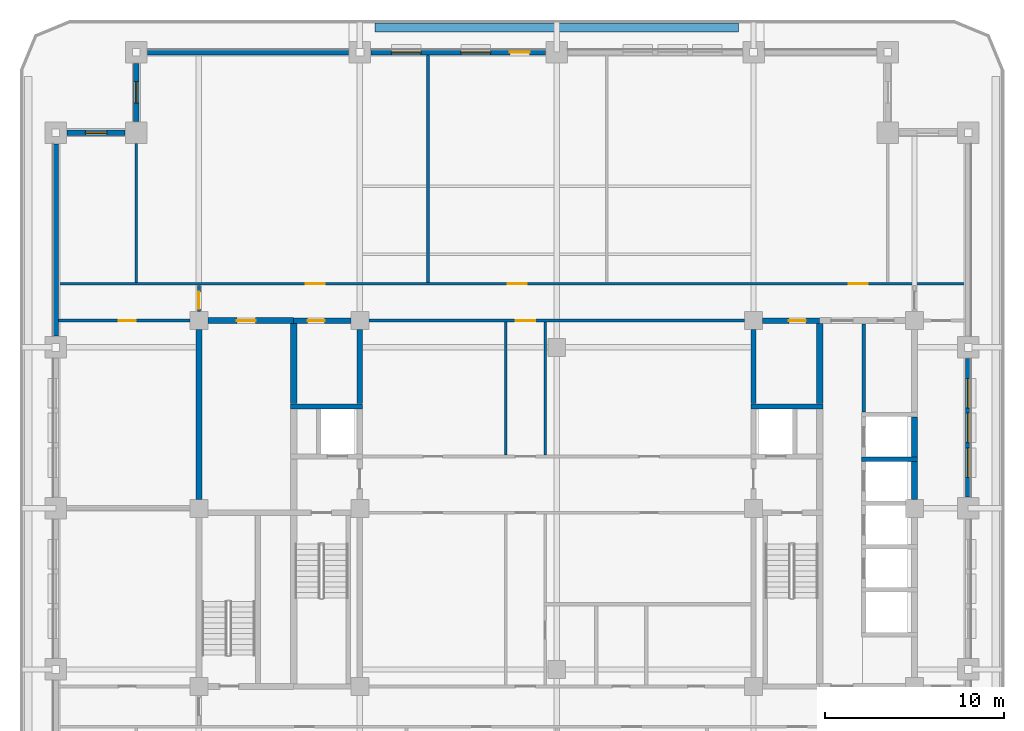
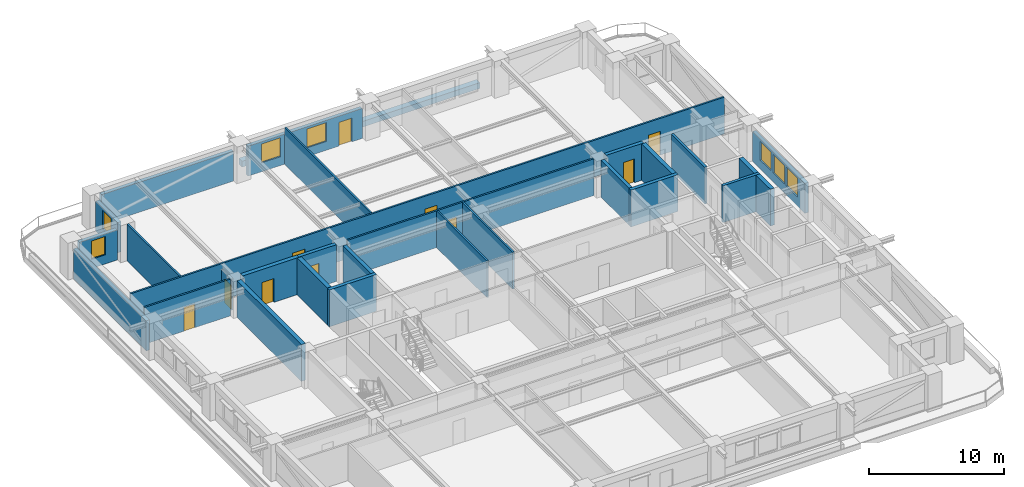
# One storey, part 5 of 14: 29 walls, 10 doors, 7 windows, 17 openings.
"""IFC4 building model written with IfcOpenShell, lengths in metres."""

from ifc_helpers import new_model, si_unit, direction, frame, frame_2d, origin, place, context, subcontext, project, spatial, rectangle, extrude, material, layer, layer_set, type_object, element, fill, save


model = new_model("IFC4")

# Units and contexts
model_context = context("Model", 3, precision=1e-05, world=origin(), true_north=direction((0.0, 1.0)))
body_context = subcontext(model_context, "Body", "Model", "MODEL_VIEW")
ifc_project = project(units=[si_unit("LENGTHUNIT", "METRE"), si_unit("AREAUNIT", "SQUARE_METRE"), si_unit("VOLUMEUNIT", "CUBIC_METRE"), si_unit("PLANEANGLEUNIT", "RADIAN"), si_unit("MASSUNIT", "GRAM", prefix="KILO")], contexts=[model_context])

# Site, building, storey
site_placement = place(None, origin())
site = spatial("IfcSite", under=ifc_project, at=site_placement, CompositionType="ELEMENT")
building_placement = place(site_placement, origin())
building = spatial("IfcBuilding", under=site, at=building_placement, Name="Zulmaris Gate Convention Tower", CompositionType="ELEMENT")
storey_placement = place(building_placement, frame((0.0, 0.0, 135.6298828125)))
storey = spatial("IfcBuildingStorey", under=building, at=storey_placement, Name="L34", CompositionType="ELEMENT", Elevation=135.6298828125)

# Walls
ifc_material_1 = material(Name="Concrete C50/60", Category="concrete")
ifc_layer_1 = layer(ifc_material_1, 0.25, Name="Concrete C50/60")
ifc_layer_set_1 = layer_set([ifc_layer_1], Name="Concrete C50/60")
wall_type_1 = type_object("IfcWallType", Name="CORE-250", PredefinedType="SOLIDWALL", material=ifc_layer_set_1)
wall_1_placement = place(storey_placement, frame((17.02490234375, 2.75, 0.0), z_axis=(0.0, 0.0, 1.0), x_axis=(1.0, 0.0, 0.0)))
element("IfcWall", 1, at=wall_1_placement, inside=storey, type_object=wall_type_1, Name="WL-L34-011", PredefinedType="SOLIDWALL", context=body_context, shape_type="SweptSolid", body=[
    extrude(rectangle(XDim=3.150146484375, YDim=0.25, at=frame_2d((1.5751953125, 0.0))), origin(), (0.0, 0.0, 1.0), 3.320068359375),
])
ifc_layer_2 = layer(ifc_material_1, 0.300048828125, Name="Concrete C50/60")
ifc_layer_set_2 = layer_set([ifc_layer_2], Name="Concrete C50/60")
wall_type_2 = type_object("IfcWallType", Name="CORE-300", PredefinedType="SHEAR", material=ifc_layer_set_2)
for number, where, z_axis, x_axis, name in (
    (2, (-14.875, 5.699951171875, 0.0), (0.0, 0.0, 1.0), (1.0, 0.0, 0.0), "WL-L34-015"),
    (3, (10.85009765625, 5.699951171875, 0.0), (0.0, 0.0, 1.0), (1.0, 0.0, 0.0), "WL-L34-016"),
):
    element("IfcWall", number, at=place(storey_placement, frame(where, z_axis=z_axis, x_axis=x_axis)), inside=storey, type_object=wall_type_2, Name=name, PredefinedType="SHEAR", context=body_context, shape_type="SweptSolid", body=[
        extrude(rectangle(XDim=4.02490234375, YDim=0.300048828125, at=frame_2d((2.012451171875, 0.0))), origin(), (0.0, 0.0, 1.0), 3.320068359375),
    ])

# Wall, opening, door
wall_2_placement = place(storey_placement, frame((-14.699951171875, 10.5, 0.0), z_axis=(0.0, 0.0, 1.0), x_axis=(1.0, 0.0, 0.0)))
wall_2 = element("IfcWall", 4, at=wall_2_placement, inside=storey, type_object=wall_type_2, Name="WL-L34-018", PredefinedType="SHEAR", context=body_context, shape_type="SweptSolid", body=[
    extrude(rectangle(XDim=3.196044921875, YDim=0.300048828125, at=frame_2d((1.59814453125, 0.0))), origin(), (0.0, 0.0, 1.0), 3.320068359375),
])
opening_1_placement = place(wall_2_placement, frame((0.77490234375, 0.0, 0.0)))
opening_1 = element("IfcOpeningElement", 5, at=opening_1_placement, cuts=wall_2, Name="Opening D-11", PredefinedType="OPENING", context=body_context, shape_type="SweptSolid", body=[
    extrude(rectangle(XDim=0.949951171875, YDim=2.14990234375, at=frame_2d((0.47509765625, 1.074951171875))), frame((0.0, 0.16015625, 0.0), z_axis=(0.0, -1.0, 0.0), x_axis=(1.0, 0.0, 0.0)), (0.0, 0.0, 1.0), 0.320068359375),
])
ifc_material_2 = material(Name="Fire-Rated Timber", Category="wood")
door_type_1 = type_object("IfcDoorType", Name="DR-950-FD", OperationType="NOTDEFINED", PredefinedType="DOOR", material=ifc_material_2)
door_1_placement = place(opening_1_placement, origin())
door_1 = element("IfcDoor", 6, at=door_1_placement, inside=storey, type_object=door_type_1, Name="L34 Core Pantry Door 07", OperationType="SINGLE_SWING_RIGHT", OverallHeight=2.14990234375, OverallWidth=0.949951171875, PredefinedType="DOOR", context=body_context, shape_type="SweptSolid", body=[
    extrude(rectangle(XDim=0.949951171875, YDim=2.14990234375, at=frame_2d((0.47509765625, 1.074951171875))), frame((0.0, 0.02490234375, 0.0), z_axis=(0.0, -1.0, 0.0), x_axis=(1.0, 0.0, 0.0)), (0.0, 0.0, 1.0), 0.050048828125),
])
fill(opening_1, door_1)

wall_3_placement = place(storey_placement, frame((11.50390625, 10.5, 0.0), z_axis=(0.0, 0.0, 1.0), x_axis=(1.0, 0.0, 0.0)))
wall_3 = element("IfcWall", 7, at=wall_3_placement, inside=storey, type_object=wall_type_2, Name="WL-L34-019", PredefinedType="SHEAR", context=body_context, shape_type="SweptSolid", body=[
    extrude(rectangle(XDim=3.196044921875, YDim=0.300048828125, at=frame_2d((1.59814453125, 0.0))), origin(), (0.0, 0.0, 1.0), 3.320068359375),
])
opening_2_placement = place(wall_3_placement, frame((1.470947265625, 0.0, 0.0)))
opening_2 = element("IfcOpeningElement", 8, at=opening_2_placement, cuts=wall_3, Name="Opening D-11", PredefinedType="OPENING", context=body_context, shape_type="SweptSolid", body=[
    extrude(rectangle(XDim=0.949951171875, YDim=2.14990234375, at=frame_2d((0.47509765625, 1.074951171875))), frame((0.0, 0.16015625, 0.0), z_axis=(0.0, -1.0, 0.0), x_axis=(1.0, 0.0, 0.0)), (0.0, 0.0, 1.0), 0.320068359375),
])
door_2_placement = place(opening_2_placement, origin())
door_2 = element("IfcDoor", 9, at=door_2_placement, inside=storey, type_object=door_type_1, Name="L34 Core Cleaners Store Door 08", OperationType="SINGLE_SWING_LEFT", OverallHeight=2.14990234375, OverallWidth=0.949951171875, PredefinedType="DOOR", context=body_context, shape_type="SweptSolid", body=[
    extrude(rectangle(XDim=0.949951171875, YDim=2.14990234375, at=frame_2d((0.47509765625, 1.074951171875))), frame((0.0, 0.02490234375, 0.0), z_axis=(0.0, -1.0, 0.0), x_axis=(1.0, 0.0, 0.0)), (0.0, 0.0, 1.0), 0.050048828125),
])
fill(opening_2, door_2)

# Walls
for number, where, z_axis, x_axis, name in (
    (10, (-11.0, 5.85205078125, 0.0), (0.0, 0.0, 1.0), (0.0, 1.0, 0.0), "WL-L34-045"),
    (11, (11.0, 5.85205078125, 0.0), (0.0, 0.0, 1.0), (0.0, 1.0, 0.0), "WL-L34-049"),
):
    element("IfcWall", number, at=place(storey_placement, frame(where, z_axis=z_axis, x_axis=x_axis)), inside=storey, type_object=wall_type_2, Name=name, PredefinedType="SHEAR", context=body_context, shape_type="SweptSolid", body=[
        extrude(rectangle(XDim=4.14404296875, YDim=0.300048828125, at=frame_2d((2.072021484375, 0.0))), origin(), (0.0, 0.0, 1.0), 3.320068359375),
    ])

# Wall, opening, door
ifc_material_3 = material(Name="Concrete C55/67", Category="concrete")
ifc_layer_3 = layer(ifc_material_3, 0.35009765625, Name="Concrete C55/67")
ifc_layer_set_3 = layer_set([ifc_layer_3], Name="Concrete C55/67")
wall_type_3 = type_object("IfcWallType", Name="CORE-350", PredefinedType="SHEAR", material=ifc_layer_set_3)
wall_4_placement = place(storey_placement, frame((-19.49609375, 10.5, 0.0), z_axis=(0.0, 0.0, 1.0), x_axis=(1.0, 0.0, 0.0)))
wall_4 = element("IfcWall", 12, at=wall_4_placement, inside=storey, type_object=wall_type_3, Name="WL-L34-017", PredefinedType="SHEAR", context=body_context, shape_type="SweptSolid", body=[
    extrude(rectangle(XDim=4.796142578125, YDim=0.35009765625, at=frame_2d((2.39794921875, 0.0))), origin(), (0.0, 0.0, 1.0), 3.320068359375),
])
opening_3_placement = place(wall_4_placement, frame((1.62109375, 0.0, 0.0)))
opening_3 = element("IfcOpeningElement", 13, at=opening_3_placement, cuts=wall_4, Name="Opening D-09", PredefinedType="OPENING", context=body_context, shape_type="SweptSolid", body=[
    extrude(rectangle(XDim=1.050048828125, YDim=2.14990234375, at=frame_2d((0.52490234375, 1.074951171875))), frame((0.0, 0.18505859375, 0.0), z_axis=(0.0, -1.0, 0.0), x_axis=(1.0, 0.0, 0.0)), (0.0, 0.0, 1.0), 0.3701171875),
])
ifc_material_4 = material(Name="Fire-Rated Steel", Category="steel")
door_type_2 = type_object("IfcDoorType", Name="DR-1050-FD", OperationType="NOTDEFINED", PredefinedType="DOOR", material=ifc_material_4)
door_3_placement = place(opening_3_placement, origin())
door_3 = element("IfcDoor", 14, at=door_3_placement, inside=storey, type_object=door_type_2, Name="L34 Reclaimed Archive Door 10", OperationType="SINGLE_SWING_LEFT", OverallHeight=2.14990234375, OverallWidth=1.050048828125, PredefinedType="DOOR", context=body_context, shape_type="SweptSolid", body=[
    extrude(rectangle(XDim=1.050048828125, YDim=2.14990234375, at=frame_2d((0.52490234375, 1.074951171875))), frame((0.0, 0.02490234375, 0.0), z_axis=(0.0, -1.0, 0.0), x_axis=(1.0, 0.0, 0.0)), (0.0, 0.0, 1.0), 0.050048828125),
])
fill(opening_3, door_3)

# Walls
wall_5_placement = place(storey_placement, frame((-20.0, 0.50390625, 0.0), z_axis=(0.0, 0.0, 1.0), x_axis=(0.0, 1.0, 0.0)))
element("IfcWall", 15, at=wall_5_placement, inside=storey, type_object=wall_type_3, Name="WL-L34-034", PredefinedType="SHEAR", context=body_context, shape_type="SweptSolid", body=[
    extrude(rectangle(XDim=9.4921875, YDim=0.35009765625, at=frame_2d((4.74609375, 0.0))), origin(), (0.0, 0.0, 1.0), 3.320068359375),
])
for number, where, z_axis, x_axis, name in (
    (16, (-14.699951171875, 5.85205078125, 0.0), (0.0, 0.0, 1.0), (0.0, 1.0, 0.0), "WL-L34-039"),
    (17, (14.699951171875, 5.85205078125, 0.0), (0.0, 0.0, 1.0), (0.0, 1.0, 0.0), "WL-L34-055"),
):
    element("IfcWall", number, at=place(storey_placement, frame(where, z_axis=z_axis, x_axis=x_axis)), inside=storey, type_object=wall_type_3, Name=name, PredefinedType="SHEAR", context=body_context, shape_type="SweptSolid", body=[
        extrude(rectangle(XDim=4.470947265625, YDim=0.35009765625, at=frame_2d((2.2353515625, 0.0))), origin(), (0.0, 0.0, 1.0), 3.320068359375),
    ])
wall_6_placement = place(storey_placement, frame((20.0, 0.50390625, 0.0), z_axis=(0.0, 0.0, 1.0), x_axis=(0.0, 1.0, 0.0)))
element("IfcWall", 18, at=wall_6_placement, inside=storey, type_object=wall_type_3, Name="WL-L34-065", PredefinedType="SHEAR", context=body_context, shape_type="SweptSolid", body=[
    extrude(rectangle(XDim=2.119140625, YDim=0.35009765625, at=frame_2d((1.0595703125, 0.0))), origin(), (0.0, 0.0, 1.0), 3.320068359375),
])
wall_7_placement = place(storey_placement, frame((20.0, 2.876953125, 0.0), z_axis=(0.0, 0.0, 1.0), x_axis=(0.0, 1.0, 0.0)))
element("IfcWall", 19, at=wall_7_placement, inside=storey, type_object=wall_type_3, Name="WL-L34-066", PredefinedType="SHEAR", context=body_context, shape_type="SweptSolid", body=[
    extrude(rectangle(XDim=2.24609375, YDim=0.35009765625, at=frame_2d((1.123046875, 0.0))), origin(), (0.0, 0.0, 1.0), 3.320068359375),
])

# Wall, opening, door
ifc_material_5 = material(Name="Gypsum Metal Stud Partition")
ifc_layer_4 = layer(ifc_material_5, 0.14990234375, Name="Gypsum Metal Stud Partition")
ifc_layer_set_4 = layer_set([ifc_layer_4], Name="Gypsum Metal Stud Partition")
wall_type_4 = type_object("IfcWallType", Name="PART-150", PredefinedType="PARTITIONING", material=ifc_layer_set_4)
wall_8_placement = place(storey_placement, frame((-27.8349609375, 10.5, 0.0), z_axis=(0.0, 0.0, 1.0), x_axis=(1.0, 0.0, 0.0)))
wall_8 = element("IfcWall", 20, at=wall_8_placement, inside=storey, type_object=wall_type_4, Name="WL-L34-029", PredefinedType="PARTITIONING", context=body_context, shape_type="SweptSolid", body=[
    extrude(rectangle(XDim=7.328857421875, YDim=0.14990234375, at=frame_2d((3.66455078125, 0.0))), origin(), (0.0, 0.0, 1.0), 3.320068359375),
])
opening_4_placement = place(wall_8_placement, frame((3.360107421875, 0.0, 0.0)))
opening_4 = element("IfcOpeningElement", 21, at=opening_4_placement, cuts=wall_8, Name="Opening D-11", PredefinedType="OPENING", context=body_context, shape_type="SweptSolid", body=[
    extrude(rectangle(XDim=0.949951171875, YDim=2.14990234375, at=frame_2d((0.47509765625, 1.074951171875))), frame((0.0, 0.0849609375, 0.0), z_axis=(0.0, -1.0, 0.0), x_axis=(1.0, 0.0, 0.0)), (0.0, 0.0, 1.0), 0.169921875),
])
door_4_placement = place(opening_4_placement, origin())
door_4 = element("IfcDoor", 22, at=door_4_placement, inside=storey, type_object=door_type_1, Name="L34 NW Partner Door 38", OperationType="SINGLE_SWING_LEFT", OverallHeight=2.14990234375, OverallWidth=0.949951171875, PredefinedType="DOOR", context=body_context, shape_type="SweptSolid", body=[
    extrude(rectangle(XDim=0.949951171875, YDim=2.14990234375, at=frame_2d((0.47509765625, 1.074951171875))), frame((0.0, 0.02490234375, 0.0), z_axis=(0.0, -1.0, 0.0), x_axis=(1.0, 0.0, 0.0)), (0.0, 0.0, 1.0), 0.050048828125),
])
fill(opening_4, door_4)

wall_9_placement = place(storey_placement, frame((-10.493896484375, 10.5, 0.0), z_axis=(0.0, 0.0, 1.0), x_axis=(1.0, 0.0, 0.0)))
wall_9 = element("IfcWall", 23, at=wall_9_placement, inside=storey, type_object=wall_type_4, Name="WL-L34-030", PredefinedType="PARTITIONING", context=body_context, shape_type="SweptSolid", body=[
    extrude(rectangle(XDim=20.98779296875, YDim=0.14990234375, at=frame_2d((10.493896484375, 0.0))), origin(), (0.0, 0.0, 1.0), 3.320068359375),
])
opening_5_placement = place(wall_9_placement, frame((8.194091796875, 0.0, 0.0)))
opening_5 = element("IfcOpeningElement", 24, at=opening_5_placement, cuts=wall_9, Name="Opening D-08", PredefinedType="OPENING", context=body_context, shape_type="SweptSolid", body=[
    extrude(rectangle(XDim=1.10009765625, YDim=2.14990234375, at=frame_2d((0.550048828125, 1.074951171875))), frame((0.0, 0.0849609375, 0.0), z_axis=(0.0, -1.0, 0.0), x_axis=(1.0, 0.0, 0.0)), (0.0, 0.0, 1.0), 0.169921875),
])
door_type_3 = type_object("IfcDoorType", Name="DR-1100-FD", OperationType="NOTDEFINED", PredefinedType="DOOR", material=ifc_material_4)
door_5_placement = place(opening_5_placement, origin())
door_5 = element("IfcDoor", 25, at=door_5_placement, inside=storey, type_object=door_type_3, Name="L34 North Gallery Link Door 18", OperationType="SINGLE_SWING_LEFT", OverallHeight=2.14990234375, OverallWidth=1.10009765625, PredefinedType="DOOR", context=body_context, shape_type="SweptSolid", body=[
    extrude(rectangle(XDim=1.10009765625, YDim=2.14990234375, at=frame_2d((0.550048828125, 1.074951171875))), frame((0.0, 0.02490234375, 0.0), z_axis=(0.0, -1.0, 0.0), x_axis=(1.0, 0.0, 0.0)), (0.0, 0.0, 1.0), 0.050048828125),
])
fill(opening_5, door_5)

# Wall, openings, doors
wall_10_placement = place(storey_placement, frame((-27.8349609375, 12.550048828125, 0.0), z_axis=(0.0, 0.0, 1.0), x_axis=(1.0, 0.0, 0.0)))
wall_10 = element("IfcWall", 26, at=wall_10_placement, inside=storey, type_object=wall_type_4, Name="WL-L34-032", PredefinedType="PARTITIONING", context=body_context, shape_type="SweptSolid", body=[
    extrude(rectangle(XDim=50.669921875, YDim=0.14990234375, at=frame_2d((25.3349609375, 0.0))), origin(), (0.0, 0.0, 1.0), 3.320068359375),
])
opening_6_placement = place(wall_10_placement, frame((13.81005859375, 0.0, 0.0)))
opening_6 = element("IfcOpeningElement", 27, at=opening_6_placement, cuts=wall_10, Name="Opening D-09", PredefinedType="OPENING", context=body_context, shape_type="SweptSolid", body=[
    extrude(rectangle(XDim=1.050048828125, YDim=2.14990234375, at=frame_2d((0.52490234375, 1.074951171875))), frame((0.0, 0.0849609375, 0.0), z_axis=(0.0, -1.0, 0.0), x_axis=(1.0, 0.0, 0.0)), (0.0, 0.0, 1.0), 0.169921875),
])
opening_7_placement = place(wall_10_placement, frame((25.110107421875, 0.0, 0.0)))
opening_7 = element("IfcOpeningElement", 28, at=opening_7_placement, cuts=wall_10, Name="Opening D-09", PredefinedType="OPENING", context=body_context, shape_type="SweptSolid", body=[
    extrude(rectangle(XDim=1.050048828125, YDim=2.14990234375, at=frame_2d((0.52490234375, 1.074951171875))), frame((0.0, 0.0849609375, 0.0), z_axis=(0.0, -1.0, 0.0), x_axis=(1.0, 0.0, 0.0)), (0.0, 0.0, 1.0), 0.169921875),
])
opening_8_placement = place(wall_10_placement, frame((44.159912109375, 0.0, 0.0)))
opening_8 = element("IfcOpeningElement", 29, at=opening_8_placement, cuts=wall_10, Name="Opening D-09", PredefinedType="OPENING", context=body_context, shape_type="SweptSolid", body=[
    extrude(rectangle(XDim=1.050048828125, YDim=2.14990234375, at=frame_2d((0.52490234375, 1.074951171875))), frame((0.0, 0.0849609375, 0.0), z_axis=(0.0, -1.0, 0.0), x_axis=(1.0, 0.0, 0.0)), (0.0, 0.0, 1.0), 0.169921875),
])
door_6_placement = place(opening_6_placement, origin())
door_6 = element("IfcDoor", 30, at=door_6_placement, inside=storey, type_object=door_type_2, Name="L34 Executive Boardroom Door 22", OperationType="SINGLE_SWING_LEFT", OverallHeight=2.14990234375, OverallWidth=1.050048828125, PredefinedType="DOOR", context=body_context, shape_type="SweptSolid", body=[
    extrude(rectangle(XDim=1.050048828125, YDim=2.14990234375, at=frame_2d((0.52490234375, 1.074951171875))), frame((0.0, 0.02490234375, 0.0), z_axis=(0.0, -1.0, 0.0), x_axis=(1.0, 0.0, 0.0)), (0.0, 0.0, 1.0), 0.050048828125),
])
fill(opening_6, door_6)
door_7_placement = place(opening_7_placement, origin())
door_7 = element("IfcDoor", 31, at=door_7_placement, inside=storey, type_object=door_type_2, Name="L34 Corporate Strategy Office Door 23", OperationType="SINGLE_SWING_RIGHT", OverallHeight=2.14990234375, OverallWidth=1.050048828125, PredefinedType="DOOR", context=body_context, shape_type="SweptSolid", body=[
    extrude(rectangle(XDim=1.050048828125, YDim=2.14990234375, at=frame_2d((0.52490234375, 1.074951171875))), frame((0.0, 0.02490234375, 0.0), z_axis=(0.0, -1.0, 0.0), x_axis=(1.0, 0.0, 0.0)), (0.0, 0.0, 1.0), 0.050048828125),
])
fill(opening_7, door_7)
door_8_placement = place(opening_8_placement, origin())
door_8 = element("IfcDoor", 32, at=door_8_placement, inside=storey, type_object=door_type_2, Name="L34 Project Advisory Studio Door 24", OperationType="SINGLE_SWING_LEFT", OverallHeight=2.14990234375, OverallWidth=1.050048828125, PredefinedType="DOOR", context=body_context, shape_type="SweptSolid", body=[
    extrude(rectangle(XDim=1.050048828125, YDim=2.14990234375, at=frame_2d((0.52490234375, 1.074951171875))), frame((0.0, 0.02490234375, 0.0), z_axis=(0.0, -1.0, 0.0), x_axis=(1.0, 0.0, 0.0)), (0.0, 0.0, 1.0), 0.050048828125),
])
fill(opening_8, door_8)

# Wall
wall_11_placement = place(storey_placement, frame((-23.5, 12.6279296875, 0.0), z_axis=(0.0, 0.0, 1.0), x_axis=(0.0, 1.0, 0.0)))
element("IfcWall", 33, at=wall_11_placement, inside=storey, type_object=wall_type_4, Name="WL-L34-069", PredefinedType="PARTITIONING", context=body_context, shape_type="SweptSolid", body=[
    extrude(rectangle(XDim=7.76611328125, YDim=0.14990234375, at=frame_2d((3.883056640625, 0.0))), origin(), (0.0, 0.0, 1.0), 3.320068359375),
])

# Wall, opening, door
wall_12_placement = place(storey_placement, frame((-20.0, 11.006103515625, 0.0), z_axis=(0.0, 0.0, 1.0), x_axis=(0.0, 1.0, 0.0)))
wall_12 = element("IfcWall", 34, at=wall_12_placement, inside=storey, type_object=wall_type_4, Name="WL-L34-071", PredefinedType="PARTITIONING", context=body_context, shape_type="SweptSolid", body=[
    extrude(rectangle(XDim=1.4658203125, YDim=0.14990234375, at=frame_2d((0.73291015625, 0.0))), origin(), (0.0, 0.0, 1.0), 2.81005859375),
])
opening_9_placement = place(wall_12_placement, frame((0.14990234375, 0.0, 0.0)))
opening_9 = element("IfcOpeningElement", 35, at=opening_9_placement, cuts=wall_12, Name="Opening D-11", PredefinedType="OPENING", context=body_context, shape_type="SweptSolid", body=[
    extrude(rectangle(XDim=0.949951171875, YDim=2.14990234375, at=frame_2d((0.47509765625, 1.074951171875))), frame((0.0, 0.0849609375, 0.0), z_axis=(0.0, -1.0, 0.0), x_axis=(1.0, 0.0, 0.0)), (0.0, 0.0, 1.0), 0.169921875),
])
door_9_placement = place(opening_9_placement, origin())
door_9 = element("IfcDoor", 36, at=door_9_placement, inside=storey, type_object=door_type_1, Name="L34 NW Spur Door 36", OperationType="SINGLE_SWING_LEFT", OverallHeight=2.14990234375, OverallWidth=0.949951171875, PredefinedType="DOOR", context=body_context, shape_type="SweptSolid", body=[
    extrude(rectangle(XDim=0.949951171875, YDim=2.14990234375, at=frame_2d((0.47509765625, 1.074951171875))), frame((0.0, 0.02490234375, 0.0), z_axis=(0.0, -1.0, 0.0), x_axis=(1.0, 0.0, 0.0)), (0.0, 0.0, 1.0), 0.050048828125),
])
fill(opening_9, door_9)

# Walls
wall_13_placement = place(storey_placement, frame((-7.199951171875, 12.6279296875, 0.0), z_axis=(0.0, 0.0, 1.0), x_axis=(0.0, 1.0, 0.0)))
element("IfcWall", 37, at=wall_13_placement, inside=storey, type_object=wall_type_4, Name="WL-L34-073", PredefinedType="PARTITIONING", context=body_context, shape_type="SweptSolid", body=[
    extrude(rectangle(XDim=12.70703125, YDim=0.14990234375, at=frame_2d((6.353515625, 0.0))), origin(), (0.0, 0.0, 1.0), 3.320068359375),
])
for number, where, z_axis, x_axis, name in (
    (38, (-2.85009765625, 2.97802734375, 0.0), (0.0, 0.0, 1.0), (0.0, 1.0, 0.0), "WL-L34-075"),
    (39, (-0.64990234375, 2.97802734375, 0.0), (0.0, 0.0, 1.0), (0.0, 1.0, 0.0), "WL-L34-078"),
):
    element("IfcWall", number, at=place(storey_placement, frame(where, z_axis=z_axis, x_axis=x_axis)), inside=storey, type_object=wall_type_4, Name=name, PredefinedType="PARTITIONING", context=body_context, shape_type="SweptSolid", body=[
        extrude(rectangle(XDim=7.444091796875, YDim=0.14990234375, at=frame_2d((3.72216796875, 0.0))), origin(), (0.0, 0.0, 1.0), 3.320068359375),
    ])
ifc_material_6 = material(Name="Autoclaved Aerated Concrete Block and Plasterboard", Category="concrete")
ifc_layer_5 = layer(ifc_material_6, 0.199951171875, Name="Autoclaved Aerated Concrete Block and Plasterboard")
ifc_layer_set_5 = layer_set([ifc_layer_5], Name="Autoclaved Aerated Concrete Block and Plasterboard")
wall_type_5 = type_object("IfcWallType", Name="PART-200", PredefinedType="PARTITIONING", material=ifc_layer_set_5)
wall_14_placement = place(storey_placement, frame((17.14990234375, 5.3779296875, 0.0), z_axis=(0.0, 0.0, 1.0), x_axis=(0.0, 1.0, 0.0)))
element("IfcWall", 40, at=wall_14_placement, inside=storey, type_object=wall_type_5, Name="WL-L34-084", PredefinedType="PARTITIONING", context=body_context, shape_type="SweptSolid", body=[
    extrude(rectangle(XDim=4.944091796875, YDim=0.199951171875, at=frame_2d((2.47216796875, 0.0))), origin(), (0.0, 0.0, 1.0), 3.320068359375),
])
ifc_material_7 = material(Name="Botanical Green Glazed Precast Concrete C40/50", Category="concrete")
ifc_layer_6 = layer(ifc_material_7, 0.419921875, Name="Botanical Green Glazed Precast Concrete C40/50")
ifc_layer_set_6 = layer_set([ifc_layer_6], Name="Botanical Green Glazed Precast Concrete C40/50")
wall_type_6 = type_object("IfcWallType", Name="PLANTER-CURB-200", PredefinedType="PARAPET", material=ifc_layer_set_6)
wall_15_placement = place(storey_placement, frame((-10.14990234375, 26.8798828125, -0.0400390625), z_axis=(0.0, 0.0, 1.0), x_axis=(1.0, 0.0, 0.0)))
element("IfcWall", 41, at=wall_15_placement, inside=storey, type_object=wall_type_6, Name="L34 Full-Length Balcony Tree Planter Trough", PredefinedType="PARAPET", context=body_context, shape_type="SweptSolid", body=[
    extrude(rectangle(XDim=20.2998046875, YDim=0.47998046875, at=frame_2d((10.14990234375, 0.0))), origin(), (0.0, 0.0, 1.0), 0.52001953125),
])

# Wall, opening, window
ifc_material_8 = material(Name="Precast concrete C40/50", Category="concrete")
ifc_layer_7 = layer(ifc_material_8, 0.300048828125, Name="Precast concrete C40/50")
ifc_layer_set_7 = layer_set([ifc_layer_7], Name="Precast concrete C40/50")
wall_type_7 = type_object("IfcWallType", Name="PRECAST-PIER-300", PredefinedType="STANDARD", material=ifc_layer_set_7)
wall_16_placement = place(storey_placement, frame((-23.5, 24.8701171875, 0.0), z_axis=(0.0, 0.0, 1.0), x_axis=(0.0, -1.0, 0.0)))
wall_16 = element("IfcWall", 42, at=wall_16_placement, inside=storey, type_object=wall_type_7, Name="EW-L34-NOTCH-NW1_0", PredefinedType="STANDARD", context=body_context, shape_type="SweptSolid", body=[
    extrude(rectangle(XDim=3.240234375, YDim=0.300048828125, at=frame_2d((1.6201171875, 0.0))), origin(), (0.0, 0.0, 1.0), 2.712158203125),
])
opening_10_placement = place(wall_16_placement, frame((1.02001953125, 0.0, 0.820068359375)))
opening_10 = element("IfcOpeningElement", 43, at=opening_10_placement, cuts=wall_16, Name="Opening W-04", PredefinedType="OPENING", context=body_context, shape_type="SweptSolid", body=[
    extrude(rectangle(XDim=1.199951171875, YDim=1.64990234375, at=frame_2d((0.60009765625, 0.824951171875))), frame((0.0, 0.16015625, 0.0), z_axis=(0.0, -1.0, 0.0), x_axis=(1.0, 0.0, 0.0)), (0.0, 0.0, 1.0), 0.320068359375),
])
ifc_material_9 = material(Name="Low-E Laminated Double Glazing in Aluminium Frame", Category="aluminium")
window_type_1 = type_object("IfcWindowType", Name="WIN-1200x2100", PartitioningType="SINGLE_PANEL", PredefinedType="WINDOW", material=ifc_material_9)
window_1_placement = place(opening_10_placement, origin())
window_1 = element("IfcWindow", 44, at=window_1_placement, inside=storey, type_object=window_type_1, Name="WN-EW-L34-NOTCH-NW1_0", OverallHeight=1.64990234375, OverallWidth=1.199951171875, PartitioningType="SINGLE_PANEL", PredefinedType="WINDOW", context=body_context, shape_type="SweptSolid", body=[
    extrude(rectangle(XDim=1.199951171875, YDim=1.64990234375, at=frame_2d((0.60009765625, 0.824951171875))), frame((0.0, 0.030029296875, 0.0), z_axis=(0.0, -1.0, 0.0), x_axis=(1.0, 0.0, 0.0)), (0.0, 0.0, 1.0), 0.06005859375),
])
fill(opening_10, window_1)

wall_17_placement = place(storey_placement, frame((-24.1298828125, 21.0, 0.0), z_axis=(0.0, 0.0, 1.0), x_axis=(-1.0, 0.0, 0.0)))
wall_17 = element("IfcWall", 45, at=wall_17_placement, inside=storey, type_object=wall_type_7, Name="EW-L34-NOTCH-NW2_0", PredefinedType="STANDARD", context=body_context, shape_type="SweptSolid", body=[
    extrude(rectangle(XDim=3.240234375, YDim=0.300048828125, at=frame_2d((1.6201171875, 0.0))), origin(), (0.0, 0.0, 1.0), 2.712158203125),
])
opening_11_placement = place(wall_17_placement, frame((1.02001953125, 0.0, 0.820068359375)))
opening_11 = element("IfcOpeningElement", 46, at=opening_11_placement, cuts=wall_17, Name="Opening W-04", PredefinedType="OPENING", context=body_context, shape_type="SweptSolid", body=[
    extrude(rectangle(XDim=1.199951171875, YDim=1.64990234375, at=frame_2d((0.60009765625, 0.824951171875))), frame((0.0, 0.16015625, 0.0), z_axis=(0.0, -1.0, 0.0), x_axis=(1.0, 0.0, 0.0)), (0.0, 0.0, 1.0), 0.320068359375),
])
window_2_placement = place(opening_11_placement, origin())
window_2 = element("IfcWindow", 47, at=window_2_placement, inside=storey, type_object=window_type_1, Name="WN-EW-L34-NOTCH-NW2_0", OverallHeight=1.64990234375, OverallWidth=1.199951171875, PartitioningType="SINGLE_PANEL", PredefinedType="WINDOW", context=body_context, shape_type="SweptSolid", body=[
    extrude(rectangle(XDim=1.199951171875, YDim=1.64990234375, at=frame_2d((0.60009765625, 0.824951171875))), frame((0.0, 0.030029296875, 0.0), z_axis=(0.0, -1.0, 0.0), x_axis=(1.0, 0.0, 0.0)), (0.0, 0.0, 1.0), 0.06005859375),
])
fill(opening_11, window_2)

# Wall
wall_18_placement = place(storey_placement, frame((-11.6298828125, 25.5, 0.0), z_axis=(0.0, 0.0, 1.0), x_axis=(-1.0, 0.0, 0.0)))
element("IfcWall", 48, at=wall_18_placement, inside=storey, type_object=wall_type_7, Name="EW-L34-N-0_0", PredefinedType="STANDARD", context=body_context, shape_type="SweptSolid", body=[
    extrude(rectangle(XDim=11.240234375, YDim=0.300048828125, at=frame_2d((5.6201171875, 0.0))), origin(), (0.0, 0.0, 1.0), 2.712158203125),
])

# Wall, openings, door, windows
wall_19_placement = place(storey_placement, frame((-0.6298828125, 25.5, 0.0), z_axis=(0.0, 0.0, 1.0), x_axis=(-1.0, 0.0, 0.0)))
wall_19 = element("IfcWall", 49, at=wall_19_placement, inside=storey, type_object=wall_type_7, Name="EW-L34-N-1_0", PredefinedType="STANDARD", context=body_context, shape_type="SweptSolid", body=[
    extrude(rectangle(XDim=9.740234375, YDim=0.300048828125, at=frame_2d((4.8701171875, 0.0))), origin(), (0.0, 0.0, 1.0), 2.712158203125),
])
opening_12_placement = place(wall_19_placement, frame((0.886962890625, 0.0, 0.0)))
opening_12 = element("IfcOpeningElement", 50, at=opening_12_placement, cuts=wall_19, Name="Opening D-04", PredefinedType="OPENING", context=body_context, shape_type="SweptSolid", body=[
    extrude(rectangle(XDim=1.10009765625, YDim=2.14990234375, at=frame_2d((0.550048828125, 1.074951171875))), frame((0.0, 0.16015625, 0.0), z_axis=(0.0, -1.0, 0.0), x_axis=(1.0, 0.0, 0.0)), (0.0, 0.0, 1.0), 0.320068359375),
])
opening_13_placement = place(wall_19_placement, frame((3.071044921875, 0.0, 0.800048828125)))
opening_13 = element("IfcOpeningElement", 51, at=opening_13_placement, cuts=wall_19, Name="Opening W-08", PredefinedType="OPENING", context=body_context, shape_type="SweptSolid", body=[
    extrude(rectangle(XDim=1.64990234375, YDim=1.699951171875, at=frame_2d((0.824951171875, 0.85009765625))), frame((0.0, 0.16015625, 0.0), z_axis=(0.0, -1.0, 0.0), x_axis=(1.0, 0.0, 0.0)), (0.0, 0.0, 1.0), 0.320068359375),
])
opening_14_placement = place(wall_19_placement, frame((6.967041015625, 0.0, 0.800048828125)))
opening_14 = element("IfcOpeningElement", 52, at=opening_14_placement, cuts=wall_19, Name="Opening W-08", PredefinedType="OPENING", context=body_context, shape_type="SweptSolid", body=[
    extrude(rectangle(XDim=1.64990234375, YDim=1.699951171875, at=frame_2d((0.824951171875, 0.85009765625))), frame((0.0, 0.16015625, 0.0), z_axis=(0.0, -1.0, 0.0), x_axis=(1.0, 0.0, 0.0)), (0.0, 0.0, 1.0), 0.320068359375),
])
ifc_material_10 = material(Name="Anodised Aluminium and Laminated Glass", Category="aluminium")
door_type_4 = type_object("IfcDoorType", Name="ED-1100", OperationType="SINGLE_SWING_RIGHT", PredefinedType="DOOR", material=ifc_material_10)
door_10_placement = place(opening_12_placement, origin())
door_10 = element("IfcDoor", 53, at=door_10_placement, inside=storey, type_object=door_type_4, Name="L34 N Planted Terrace Door", OperationType="SINGLE_SWING_LEFT", OverallHeight=2.14990234375, OverallWidth=1.10009765625, PredefinedType="DOOR", context=body_context, shape_type="SweptSolid", body=[
    extrude(rectangle(XDim=1.10009765625, YDim=2.14990234375, at=frame_2d((0.550048828125, 1.074951171875))), frame((0.0, 0.02490234375, 0.0), z_axis=(0.0, -1.0, 0.0), x_axis=(1.0, 0.0, 0.0)), (0.0, 0.0, 1.0), 0.050048828125),
])
fill(opening_12, door_10)
window_type_2 = type_object("IfcWindowType", Name="WIN-1650x2150", PartitioningType="SINGLE_PANEL", PredefinedType="WINDOW", material=ifc_material_9)
window_3_placement = place(opening_13_placement, origin())
window_3 = element("IfcWindow", 54, at=window_3_placement, inside=storey, type_object=window_type_2, Name="WN-EW-L34-N-1_0-2", OverallHeight=1.699951171875, OverallWidth=1.64990234375, PartitioningType="SINGLE_PANEL", PredefinedType="WINDOW", context=body_context, shape_type="SweptSolid", body=[
    extrude(rectangle(XDim=1.64990234375, YDim=1.699951171875, at=frame_2d((0.824951171875, 0.85009765625))), frame((0.0, 0.030029296875, 0.0), z_axis=(0.0, -1.0, 0.0), x_axis=(1.0, 0.0, 0.0)), (0.0, 0.0, 1.0), 0.06005859375),
])
fill(opening_13, window_3)
window_4_placement = place(opening_14_placement, origin())
window_4 = element("IfcWindow", 55, at=window_4_placement, inside=storey, type_object=window_type_2, Name="WN-EW-L34-N-1_0-4", OverallHeight=1.699951171875, OverallWidth=1.64990234375, PartitioningType="SINGLE_PANEL", PredefinedType="WINDOW", context=body_context, shape_type="SweptSolid", body=[
    extrude(rectangle(XDim=1.64990234375, YDim=1.699951171875, at=frame_2d((0.824951171875, 0.85009765625))), frame((0.0, 0.030029296875, 0.0), z_axis=(0.0, -1.0, 0.0), x_axis=(1.0, 0.0, 0.0)), (0.0, 0.0, 1.0), 0.06005859375),
])
fill(opening_14, window_4)

# Wall, openings, windows
wall_20_placement = place(storey_placement, frame((23.0, 0.6298828125, 0.0), z_axis=(0.0, 0.0, 1.0), x_axis=(0.0, 1.0, 0.0)))
wall_20 = element("IfcWall", 56, at=wall_20_placement, inside=storey, type_object=wall_type_7, Name="EW-L34-E-2_0", PredefinedType="STANDARD", context=body_context, shape_type="SweptSolid", body=[
    extrude(rectangle(XDim=7.740234375, YDim=0.300048828125, at=frame_2d((3.8701171875, 0.0))), origin(), (0.0, 0.0, 1.0), 2.712158203125),
])
opening_15_placement = place(wall_20_placement, frame((1.110107421875, 0.0, 0.800048828125)))
opening_15 = element("IfcOpeningElement", 57, at=opening_15_placement, cuts=wall_20, Name="Opening W-08", PredefinedType="OPENING", context=body_context, shape_type="SweptSolid", body=[
    extrude(rectangle(XDim=1.64990234375, YDim=1.699951171875, at=frame_2d((0.824951171875, 0.85009765625))), frame((0.0, 0.16015625, 0.0), z_axis=(0.0, -1.0, 0.0), x_axis=(1.0, 0.0, 0.0)), (0.0, 0.0, 1.0), 0.320068359375),
])
opening_16_placement = place(wall_20_placement, frame((3.044921875, 0.0, 0.800048828125)))
opening_16 = element("IfcOpeningElement", 58, at=opening_16_placement, cuts=wall_20, Name="Opening W-08", PredefinedType="OPENING", context=body_context, shape_type="SweptSolid", body=[
    extrude(rectangle(XDim=1.64990234375, YDim=1.699951171875, at=frame_2d((0.824951171875, 0.85009765625))), frame((0.0, 0.16015625, 0.0), z_axis=(0.0, -1.0, 0.0), x_axis=(1.0, 0.0, 0.0)), (0.0, 0.0, 1.0), 0.320068359375),
])
opening_17_placement = place(wall_20_placement, frame((4.97998046875, 0.0, 0.800048828125)))
opening_17 = element("IfcOpeningElement", 59, at=opening_17_placement, cuts=wall_20, Name="Opening W-08", PredefinedType="OPENING", context=body_context, shape_type="SweptSolid", body=[
    extrude(rectangle(XDim=1.64990234375, YDim=1.699951171875, at=frame_2d((0.824951171875, 0.85009765625))), frame((0.0, 0.16015625, 0.0), z_axis=(0.0, -1.0, 0.0), x_axis=(1.0, 0.0, 0.0)), (0.0, 0.0, 1.0), 0.320068359375),
])
window_5_placement = place(opening_15_placement, origin())
window_5 = element("IfcWindow", 60, at=window_5_placement, inside=storey, type_object=window_type_2, Name="WN-EW-L34-E-2_0-1", OverallHeight=1.699951171875, OverallWidth=1.64990234375, PartitioningType="SINGLE_PANEL", PredefinedType="WINDOW", context=body_context, shape_type="SweptSolid", body=[
    extrude(rectangle(XDim=1.64990234375, YDim=1.699951171875, at=frame_2d((0.824951171875, 0.85009765625))), frame((0.0, 0.030029296875, 0.0), z_axis=(0.0, -1.0, 0.0), x_axis=(1.0, 0.0, 0.0)), (0.0, 0.0, 1.0), 0.06005859375),
])
fill(opening_15, window_5)
window_6_placement = place(opening_16_placement, origin())
window_6 = element("IfcWindow", 61, at=window_6_placement, inside=storey, type_object=window_type_2, Name="WN-EW-L34-E-2_0-2", OverallHeight=1.699951171875, OverallWidth=1.64990234375, PartitioningType="SINGLE_PANEL", PredefinedType="WINDOW", context=body_context, shape_type="SweptSolid", body=[
    extrude(rectangle(XDim=1.64990234375, YDim=1.699951171875, at=frame_2d((0.824951171875, 0.85009765625))), frame((0.0, 0.030029296875, 0.0), z_axis=(0.0, -1.0, 0.0), x_axis=(1.0, 0.0, 0.0)), (0.0, 0.0, 1.0), 0.06005859375),
])
fill(opening_16, window_6)
window_7_placement = place(opening_17_placement, origin())
window_7 = element("IfcWindow", 62, at=window_7_placement, inside=storey, type_object=window_type_2, Name="WN-EW-L34-E-2_0-3", OverallHeight=1.699951171875, OverallWidth=1.64990234375, PartitioningType="SINGLE_PANEL", PredefinedType="WINDOW", context=body_context, shape_type="SweptSolid", body=[
    extrude(rectangle(XDim=1.64990234375, YDim=1.699951171875, at=frame_2d((0.824951171875, 0.85009765625))), frame((0.0, 0.030029296875, 0.0), z_axis=(0.0, -1.0, 0.0), x_axis=(1.0, 0.0, 0.0)), (0.0, 0.0, 1.0), 0.06005859375),
])
fill(opening_17, window_7)

# Wall
wall_21_placement = place(storey_placement, frame((-28.0, 20.3701171875, 0.0), z_axis=(0.0, 0.0, 1.0), x_axis=(0.0, -1.0, 0.0)))
element("IfcWall", 63, at=wall_21_placement, inside=storey, type_object=wall_type_7, Name="EW-L34-W-3_0", PredefinedType="STANDARD", context=body_context, shape_type="SweptSolid", body=[
    extrude(rectangle(XDim=10.740234375, YDim=0.300048828125, at=frame_2d((5.3701171875, 0.0))), origin(), (0.0, 0.0, 1.0), 2.712158203125),
])

save(model, "model.ifc")
